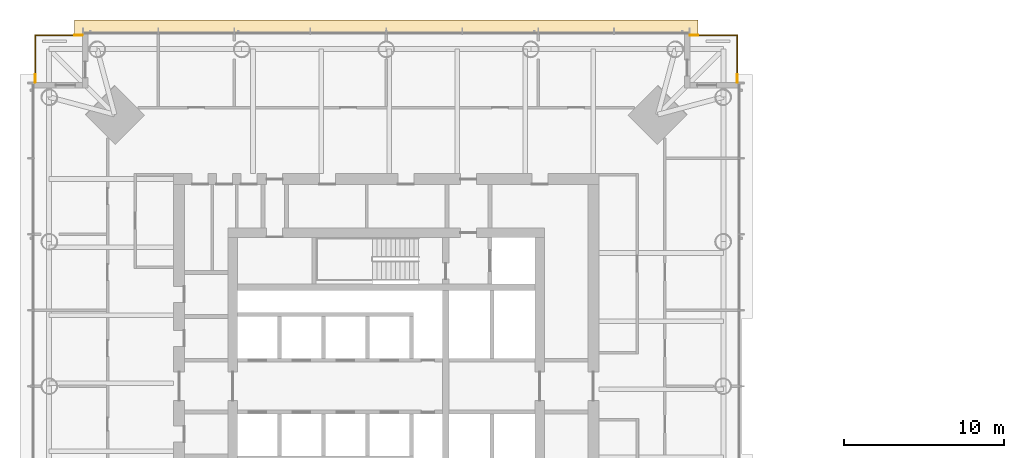
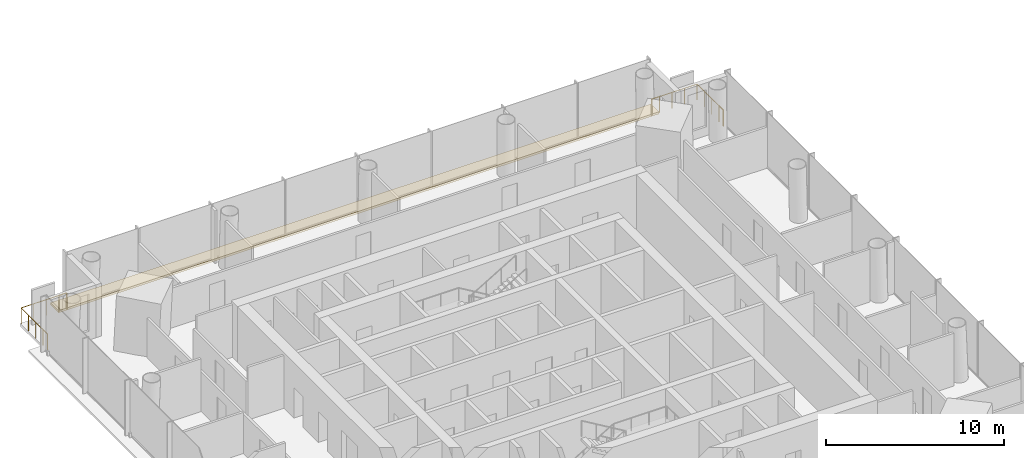
# One storey, part 26 of 27: 6 railings, 1 covering.
"""IFC4 building model written with IfcOpenShell, lengths in metres."""

from ifc_helpers import new_model, si_unit, direction, frame, origin, origin_2d, place, context, subcontext, project, spatial, polyline, circle, outline, extrude, material, layer, layer_set, type_object, element, save


model = new_model("IFC4")

# Units and contexts
model_context = context("Model", 3, precision=1e-05, world=origin(), true_north=direction((0.0, 1.0)))
body_context = subcontext(model_context, "Body", "Model", "MODEL_VIEW")
ifc_project = project(units=[si_unit("LENGTHUNIT", "METRE"), si_unit("AREAUNIT", "SQUARE_METRE"), si_unit("VOLUMEUNIT", "CUBIC_METRE"), si_unit("PLANEANGLEUNIT", "RADIAN"), si_unit("MASSUNIT", "GRAM", prefix="KILO")], contexts=[model_context])

# Site, building, storey
site_placement = place(None, origin())
site = spatial("IfcSite", under=ifc_project, at=site_placement, CompositionType="ELEMENT")
building_placement = place(site_placement, origin())
building = spatial("IfcBuilding", under=site, at=building_placement, Name="Ostroluk Exchange", CompositionType="ELEMENT")
storey_placement = place(building_placement, frame((0.0, 0.0, 112.199951171875)))
storey = spatial("IfcBuildingStorey", under=building, at=storey_placement, Name="L28", CompositionType="ELEMENT", Elevation=112.199951171875)

# Railings
ifc_material_1 = material(Name="Stainless steel", Category="steel")
railing_type_1 = type_object("IfcRailingType", Name="Guard 1100 stainless steel", PredefinedType="GUARDRAIL", material=ifc_material_1)
railing_1_placement = place(storey_placement, frame((64.5, 67.949951171875, 0.0)))
element("IfcRailing", 1, at=railing_1_placement, inside=storey, type_object=railing_type_1, Name="Office tower NE balcony guard L28", PredefinedType="GUARDRAIL", context=body_context, shape_type="SweptSolid", body=[
    extrude(circle(Radius=0.02392578125, at=origin_2d()), frame((0.0, 0.0, 1.076171875), z_axis=(1.0, 0.0, 0.0), x_axis=(0.0, 1.0, 0.0)), (0.0, 0.0, 1.0), 2.449951171875),
    extrude(circle(Radius=0.02392578125, at=origin_2d()), frame((2.449951171875, 0.0, 1.076171875), z_axis=(0.0, -1.0, 0.0), x_axis=(1.0, 0.0, 0.0)), (0.0, 0.0, 1.0), 2.449951171875),
    extrude(circle(Radius=0.02099609375, at=origin_2d()), origin(), (0.0, 0.0, 1.0), 1.052001953125),
    extrude(circle(Radius=0.02099609375, at=origin_2d()), frame((0.816650390625, 0.0, 0.0)), (0.0, 0.0, 1.0), 1.052001953125),
    extrude(circle(Radius=0.02099609375, at=origin_2d()), frame((1.63330078125, 0.0, 0.0)), (0.0, 0.0, 1.0), 1.052001953125),
    extrude(circle(Radius=0.02099609375, at=origin_2d()), frame((2.449951171875, 0.0, 0.0)), (0.0, 0.0, 1.0), 1.052001953125),
    extrude(circle(Radius=0.02099609375, at=origin_2d()), frame((2.449951171875, -0.816650390625, 0.0)), (0.0, 0.0, 1.0), 1.052001953125),
    extrude(circle(Radius=0.02099609375, at=origin_2d()), frame((2.449951171875, -1.63330078125, 0.0)), (0.0, 0.0, 1.0), 1.052001953125),
    extrude(circle(Radius=0.02099609375, at=origin_2d()), frame((2.449951171875, -2.449951171875, 0.0)), (0.0, 0.0, 1.0), 1.052001953125),
])
railing_2_placement = place(storey_placement, frame((25.5, 67.949951171875, 0.0)))
element("IfcRailing", 2, at=railing_2_placement, inside=storey, type_object=railing_type_1, Name="Office tower NW balcony guard L28", PredefinedType="GUARDRAIL", context=body_context, shape_type="SweptSolid", body=[
    extrude(circle(Radius=0.02392578125, at=origin_2d()), frame((0.0, 0.0, 1.076171875), z_axis=(-1.0, 0.0, 0.0), x_axis=(0.0, -1.0, 0.0)), (0.0, 0.0, 1.0), 2.449951171875),
    extrude(circle(Radius=0.02392578125, at=origin_2d()), frame((-2.449951171875, 0.0, 1.076171875), z_axis=(0.0, -1.0, 0.0), x_axis=(1.0, 0.0, 0.0)), (0.0, 0.0, 1.0), 2.449951171875),
    extrude(circle(Radius=0.02099609375, at=origin_2d()), origin(), (0.0, 0.0, 1.0), 1.052001953125),
    extrude(circle(Radius=0.02099609375, at=origin_2d()), frame((-0.816650390625, 0.0, 0.0)), (0.0, 0.0, 1.0), 1.052001953125),
    extrude(circle(Radius=0.02099609375, at=origin_2d()), frame((-1.63330078125, 0.0, 0.0)), (0.0, 0.0, 1.0), 1.052001953125),
    extrude(circle(Radius=0.02099609375, at=origin_2d()), frame((-2.449951171875, 0.0, 0.0)), (0.0, 0.0, 1.0), 1.052001953125),
    extrude(circle(Radius=0.02099609375, at=origin_2d()), frame((-2.449951171875, -0.816650390625, 0.0)), (0.0, 0.0, 1.0), 1.052001953125),
    extrude(circle(Radius=0.02099609375, at=origin_2d()), frame((-2.449951171875, -1.63330078125, 0.0)), (0.0, 0.0, 1.0), 1.052001953125),
    extrude(circle(Radius=0.02099609375, at=origin_2d()), frame((-2.449951171875, -2.449951171875, 0.0)), (0.0, 0.0, 1.0), 1.052001953125),
])
ifc_material_2 = material(Name="Stainless steel", Category="steel")
railing_type_2 = type_object("IfcRailingType", Name="Lockable maintenance gate 1100", PredefinedType="GUARDRAIL", material=ifc_material_2)
railing_3_placement = place(storey_placement, frame((64.0, 67.949951171875, 0.0)))
element("IfcRailing", 3, at=railing_3_placement, inside=storey, type_object=railing_type_2, Name="Lockable maintenance gate T1 L28 NE", PredefinedType="GUARDRAIL", context=body_context, shape_type="SweptSolid", body=[
    extrude(circle(Radius=0.02392578125, at=origin_2d()), frame((0.0, 0.0, 1.076171875), z_axis=(1.0, 0.0, 0.0), x_axis=(0.0, 1.0, 0.0)), (0.0, 0.0, 1.0), 0.5),
    extrude(circle(Radius=0.02099609375, at=origin_2d()), origin(), (0.0, 0.0, 1.0), 1.052001953125),
    extrude(circle(Radius=0.02099609375, at=origin_2d()), frame((0.5, 0.0, 0.0)), (0.0, 0.0, 1.0), 1.052001953125),
])
railing_4_placement = place(storey_placement, frame((66.949951171875, 65.5, 0.0)))
element("IfcRailing", 4, at=railing_4_placement, inside=storey, type_object=railing_type_2, Name="Lockable maintenance gate T1 L28 NE", PredefinedType="GUARDRAIL", context=body_context, shape_type="SweptSolid", body=[
    extrude(circle(Radius=0.02392578125, at=origin_2d()), frame((0.0, 0.0, 1.076171875), z_axis=(0.0, -1.0, 0.0), x_axis=(1.0, 0.0, 0.0)), (0.0, 0.0, 1.0), 0.5),
    extrude(circle(Radius=0.02099609375, at=origin_2d()), origin(), (0.0, 0.0, 1.0), 1.052001953125),
    extrude(circle(Radius=0.02099609375, at=origin_2d()), frame((0.0, -0.5, 0.0)), (0.0, 0.0, 1.0), 1.052001953125),
])
railing_5_placement = place(storey_placement, frame((26.0, 67.949951171875, 0.0)))
element("IfcRailing", 5, at=railing_5_placement, inside=storey, type_object=railing_type_2, Name="Lockable maintenance gate T1 L28 NW", PredefinedType="GUARDRAIL", context=body_context, shape_type="SweptSolid", body=[
    extrude(circle(Radius=0.02392578125, at=origin_2d()), frame((0.0, 0.0, 1.076171875), z_axis=(-1.0, 0.0, 0.0), x_axis=(0.0, -1.0, 0.0)), (0.0, 0.0, 1.0), 0.5),
    extrude(circle(Radius=0.02099609375, at=origin_2d()), origin(), (0.0, 0.0, 1.0), 1.052001953125),
    extrude(circle(Radius=0.02099609375, at=origin_2d()), frame((-0.5, 0.0, 0.0)), (0.0, 0.0, 1.0), 1.052001953125),
])
railing_6_placement = place(storey_placement, frame((23.050048828125, 65.5, 0.0)))
element("IfcRailing", 6, at=railing_6_placement, inside=storey, type_object=railing_type_2, Name="Lockable maintenance gate T1 L28 NW", PredefinedType="GUARDRAIL", context=body_context, shape_type="SweptSolid", body=[
    extrude(circle(Radius=0.02392578125, at=origin_2d()), frame((0.0, 0.0, 1.076171875), z_axis=(0.0, -1.0, 0.0), x_axis=(1.0, 0.0, 0.0)), (0.0, 0.0, 1.0), 0.5),
    extrude(circle(Radius=0.02099609375, at=origin_2d()), origin(), (0.0, 0.0, 1.0), 1.052001953125),
    extrude(circle(Radius=0.02099609375, at=origin_2d()), frame((0.0, -0.5, 0.0)), (0.0, 0.0, 1.0), 1.052001953125),
])

# Covering
ifc_material_3 = material(Name="Insulated steel roof deck with membrane, laid to falls, aluminium coping", Category="steel")
ifc_layer = layer(ifc_material_3, 0.14990234375)
ifc_layer_set = layer_set([ifc_layer], Name="Setback maintenance roof")
covering_type = type_object("IfcCoveringType", Name="Setback maintenance roof", PredefinedType="ROOFING", material=ifc_layer_set)
covering_placement = place(storey_placement, frame((0.0, 0.0, -0.14990234375)))
element("IfcCovering", 7, at=covering_placement, inside=storey, type_object=covering_type, Name="Maintenance roof, setback L28 north", PredefinedType="ROOFING", context=body_context, shape_type="SweptSolid", body=[
    extrude(outline(polyline([(25.5, 68.89990234375), (64.5, 68.89990234375), (64.5, 68.0), (25.5, 68.0), (25.5, 68.89990234375)])), origin(), (0.0, 0.0, 1.0), 0.14990234375),
])

save(model, "model.ifc")
